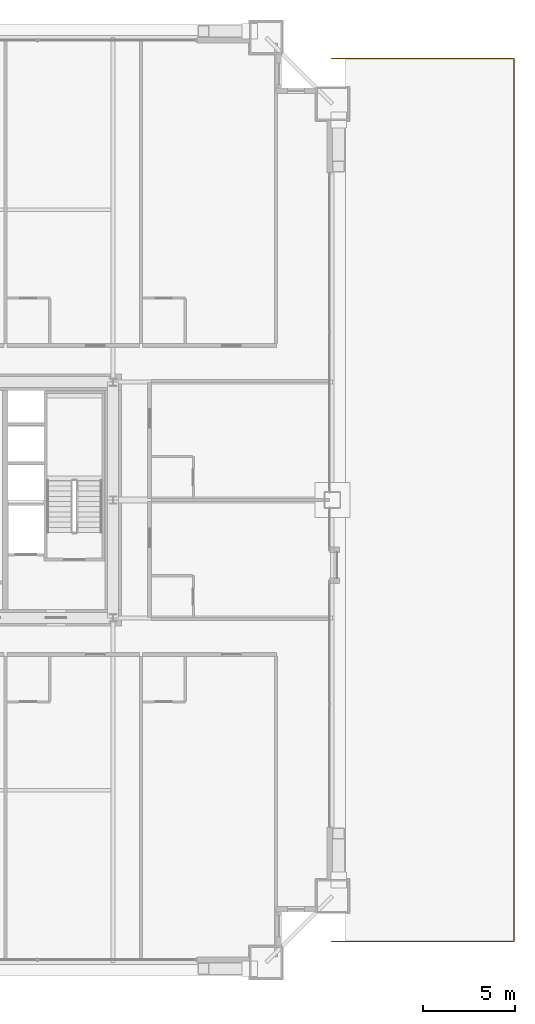
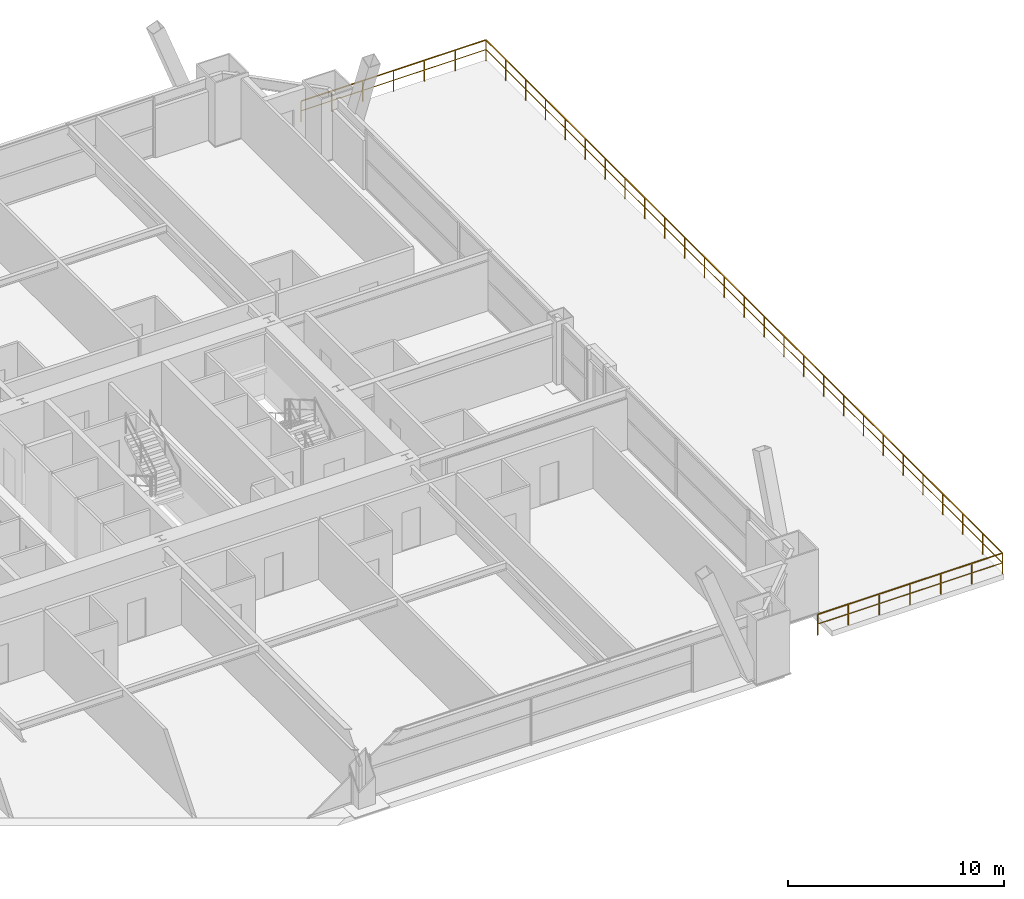
# One storey, part 45 of 45: 1 railing.
"""IFC4 building model written with IfcOpenShell, lengths in metres."""

from ifc_helpers import new_model, si_unit, direction, frame, origin, origin_2d, place, context, subcontext, project, spatial, rectangle, extrude, source, transform, mapped, material, layer, layer_set, type_object, element, save


model = new_model("IFC4")

# Units and contexts
model_context = context("Model", 3, precision=1e-05, world=origin(), true_north=direction((0.0, 1.0)))
body_context = subcontext(model_context, "Body", "Model", "MODEL_VIEW")
ifc_project = project(units=[si_unit("LENGTHUNIT", "METRE"), si_unit("AREAUNIT", "SQUARE_METRE"), si_unit("VOLUMEUNIT", "CUBIC_METRE"), si_unit("PLANEANGLEUNIT", "RADIAN"), si_unit("MASSUNIT", "GRAM", prefix="KILO"), si_unit("THERMODYNAMICTEMPERATUREUNIT", "KELVIN"), si_unit("POWERUNIT", "WATT")], contexts=[model_context])

# Site, building, storey
site_placement = place(None, origin())
site = spatial("IfcSite", under=ifc_project, at=site_placement, CompositionType="ELEMENT")
building_placement = place(site_placement, origin())
building = spatial("IfcBuilding", under=site, at=building_placement, Name="Yuzanri Waterfront Tower", CompositionType="ELEMENT")
storey_placement = place(building_placement, frame((0.0, 0.0, 30.60009765625)))
storey = spatial("IfcBuildingStorey", under=building, at=storey_placement, Name="L07", CompositionType="ELEMENT", Elevation=30.60009765625)

# Railing
ifc_material = material(Name="Anodized Architectural Bronze", Category="metal")
ifc_layer = layer(ifc_material, 0.080078125)
ifc_layer_set = layer_set([ifc_layer], Name="Anodized Architectural Bronze")
railing_type = type_object("IfcRailingType", Name="Laminated Glass and Bronze Balcony Guardrail 1200", PredefinedType="BALUSTRADE", material=ifc_layer_set)
shared_shape = source(origin(), body_context, "Body", "SweptSolid", [
    extrude(rectangle(XDim=0.050048828125, YDim=0.050048828125, at=origin_2d()), frame((0.0, 0.0, 1.1748046875), z_axis=(1.0, 0.0, 0.0), x_axis=(0.0, 1.0, 0.0)), (0.0, 0.0, 1.0), 9.89990234375),
    extrude(rectangle(XDim=0.035888671875, YDim=0.030029296875, at=origin_2d()), frame((0.0, 0.0, 0.6240234375), z_axis=(1.0, 0.0, 0.0), x_axis=(0.0, 1.0, 0.0)), (0.0, 0.0, 1.0), 9.89990234375),
    extrude(rectangle(XDim=0.050048828125, YDim=0.050048828125, at=origin_2d()), frame((9.89990234375, 0.0, 1.1748046875), z_axis=(0.0, 1.0, 0.0), x_axis=(-1.0, 0.0, 0.0)), (0.0, 0.0, 1.0), 47.89990234375),
    extrude(rectangle(XDim=0.035888671875, YDim=0.030029296875, at=origin_2d()), frame((9.89990234375, 0.0, 0.6240234375), z_axis=(0.0, 1.0, 0.0), x_axis=(-1.0, 0.0, 0.0)), (0.0, 0.0, 1.0), 47.89990234375),
    extrude(rectangle(XDim=0.050048828125, YDim=0.050048828125, at=origin_2d()), frame((9.89990234375, 47.89990234375, 1.1748046875), z_axis=(-1.0, 0.0, 0.0), x_axis=(0.0, -1.0, 0.0)), (0.0, 0.0, 1.0), 9.89990234375),
    extrude(rectangle(XDim=0.035888671875, YDim=0.030029296875, at=origin_2d()), frame((9.89990234375, 47.89990234375, 0.6240234375), z_axis=(-1.0, 0.0, 0.0), x_axis=(0.0, -1.0, 0.0)), (0.0, 0.0, 1.0), 9.89990234375),
    extrude(rectangle(XDim=0.0458984375, YDim=0.0458984375, at=origin_2d()), origin(), (0.0, 0.0, 1.0), 1.14990234375),
    extrude(rectangle(XDim=0.0458984375, YDim=0.0458984375, at=origin_2d()), frame((1.64990234375, 0.0, 0.0)), (0.0, 0.0, 1.0), 1.14990234375),
    extrude(rectangle(XDim=0.0458984375, YDim=0.0458984375, at=origin_2d()), frame((3.300048828125, 0.0, 0.0)), (0.0, 0.0, 1.0), 1.14990234375),
    extrude(rectangle(XDim=0.0458984375, YDim=0.0458984375, at=origin_2d()), frame((4.949951171875, 0.0, 0.0)), (0.0, 0.0, 1.0), 1.14990234375),
    extrude(rectangle(XDim=0.0458984375, YDim=0.0458984375, at=origin_2d()), frame((6.599853515625, 0.0, 0.0)), (0.0, 0.0, 1.0), 1.14990234375),
    extrude(rectangle(XDim=0.0458984375, YDim=0.0458984375, at=origin_2d()), frame((8.25, 0.0, 0.0)), (0.0, 0.0, 1.0), 1.14990234375),
    extrude(rectangle(XDim=0.0458984375, YDim=0.0458984375, at=origin_2d()), frame((9.89990234375, 0.0, 0.0)), (0.0, 0.0, 1.0), 1.14990234375),
    extrude(rectangle(XDim=0.0458984375, YDim=0.0458984375, at=origin_2d()), frame((9.89990234375, 1.84228515625, 0.0)), (0.0, 0.0, 1.0), 1.14990234375),
    extrude(rectangle(XDim=0.0458984375, YDim=0.0458984375, at=origin_2d()), frame((9.89990234375, 3.6845703125, 0.0)), (0.0, 0.0, 1.0), 1.14990234375),
    extrude(rectangle(XDim=0.0458984375, YDim=0.0458984375, at=origin_2d()), frame((9.89990234375, 5.52685546875, 0.0)), (0.0, 0.0, 1.0), 1.14990234375),
    extrude(rectangle(XDim=0.0458984375, YDim=0.0458984375, at=origin_2d()), frame((9.89990234375, 7.369140625, 0.0)), (0.0, 0.0, 1.0), 1.14990234375),
    extrude(rectangle(XDim=0.0458984375, YDim=0.0458984375, at=origin_2d()), frame((9.89990234375, 9.21142578125, 0.0)), (0.0, 0.0, 1.0), 1.14990234375),
    extrude(rectangle(XDim=0.0458984375, YDim=0.0458984375, at=origin_2d()), frame((9.89990234375, 11.0537109375, 0.0)), (0.0, 0.0, 1.0), 1.14990234375),
    extrude(rectangle(XDim=0.0458984375, YDim=0.0458984375, at=origin_2d()), frame((9.89990234375, 12.896240234375, 0.0)), (0.0, 0.0, 1.0), 1.14990234375),
    extrude(rectangle(XDim=0.0458984375, YDim=0.0458984375, at=origin_2d()), frame((9.89990234375, 14.738525390625, 0.0)), (0.0, 0.0, 1.0), 1.14990234375),
    extrude(rectangle(XDim=0.0458984375, YDim=0.0458984375, at=origin_2d()), frame((9.89990234375, 16.580810546875, 0.0)), (0.0, 0.0, 1.0), 1.14990234375),
    extrude(rectangle(XDim=0.0458984375, YDim=0.0458984375, at=origin_2d()), frame((9.89990234375, 18.423095703125, 0.0)), (0.0, 0.0, 1.0), 1.14990234375),
    extrude(rectangle(XDim=0.0458984375, YDim=0.0458984375, at=origin_2d()), frame((9.89990234375, 20.265380859375, 0.0)), (0.0, 0.0, 1.0), 1.14990234375),
    extrude(rectangle(XDim=0.0458984375, YDim=0.0458984375, at=origin_2d()), frame((9.89990234375, 22.107666015625, 0.0)), (0.0, 0.0, 1.0), 1.14990234375),
    extrude(rectangle(XDim=0.0458984375, YDim=0.0458984375, at=origin_2d()), frame((9.89990234375, 23.949951171875, 0.0)), (0.0, 0.0, 1.0), 1.14990234375),
    extrude(rectangle(XDim=0.0458984375, YDim=0.0458984375, at=origin_2d()), frame((9.89990234375, 25.792236328125, 0.0)), (0.0, 0.0, 1.0), 1.14990234375),
    extrude(rectangle(XDim=0.0458984375, YDim=0.0458984375, at=origin_2d()), frame((9.89990234375, 27.634521484375, 0.0)), (0.0, 0.0, 1.0), 1.14990234375),
    extrude(rectangle(XDim=0.0458984375, YDim=0.0458984375, at=origin_2d()), frame((9.89990234375, 29.476806640625, 0.0)), (0.0, 0.0, 1.0), 1.14990234375),
    extrude(rectangle(XDim=0.0458984375, YDim=0.0458984375, at=origin_2d()), frame((9.89990234375, 31.319091796875, 0.0)), (0.0, 0.0, 1.0), 1.14990234375),
    extrude(rectangle(XDim=0.0458984375, YDim=0.0458984375, at=origin_2d()), frame((9.89990234375, 33.161376953125, 0.0)), (0.0, 0.0, 1.0), 1.14990234375),
    extrude(rectangle(XDim=0.0458984375, YDim=0.0458984375, at=origin_2d()), frame((9.89990234375, 35.003662109375, 0.0)), (0.0, 0.0, 1.0), 1.14990234375),
    extrude(rectangle(XDim=0.0458984375, YDim=0.0458984375, at=origin_2d()), frame((9.89990234375, 36.84619140625, 0.0)), (0.0, 0.0, 1.0), 1.14990234375),
    extrude(rectangle(XDim=0.0458984375, YDim=0.0458984375, at=origin_2d()), frame((9.89990234375, 38.6884765625, 0.0)), (0.0, 0.0, 1.0), 1.14990234375),
    extrude(rectangle(XDim=0.0458984375, YDim=0.0458984375, at=origin_2d()), frame((9.89990234375, 40.53076171875, 0.0)), (0.0, 0.0, 1.0), 1.14990234375),
    extrude(rectangle(XDim=0.0458984375, YDim=0.0458984375, at=origin_2d()), frame((9.89990234375, 42.373046875, 0.0)), (0.0, 0.0, 1.0), 1.14990234375),
    extrude(rectangle(XDim=0.0458984375, YDim=0.0458984375, at=origin_2d()), frame((9.89990234375, 44.21533203125, 0.0)), (0.0, 0.0, 1.0), 1.14990234375),
    extrude(rectangle(XDim=0.0458984375, YDim=0.0458984375, at=origin_2d()), frame((9.89990234375, 46.0576171875, 0.0)), (0.0, 0.0, 1.0), 1.14990234375),
    extrude(rectangle(XDim=0.0458984375, YDim=0.0458984375, at=origin_2d()), frame((9.89990234375, 47.89990234375, 0.0)), (0.0, 0.0, 1.0), 1.14990234375),
    extrude(rectangle(XDim=0.0458984375, YDim=0.0458984375, at=origin_2d()), frame((8.25, 47.89990234375, 0.0)), (0.0, 0.0, 1.0), 1.14990234375),
    extrude(rectangle(XDim=0.0458984375, YDim=0.0458984375, at=origin_2d()), frame((6.599853515625, 47.89990234375, 0.0)), (0.0, 0.0, 1.0), 1.14990234375),
    extrude(rectangle(XDim=0.0458984375, YDim=0.0458984375, at=origin_2d()), frame((4.949951171875, 47.89990234375, 0.0)), (0.0, 0.0, 1.0), 1.14990234375),
    extrude(rectangle(XDim=0.0458984375, YDim=0.0458984375, at=origin_2d()), frame((3.300048828125, 47.89990234375, 0.0)), (0.0, 0.0, 1.0), 1.14990234375),
    extrude(rectangle(XDim=0.0458984375, YDim=0.0458984375, at=origin_2d()), frame((1.64990234375, 47.89990234375, 0.0)), (0.0, 0.0, 1.0), 1.14990234375),
    extrude(rectangle(XDim=0.0458984375, YDim=0.0458984375, at=origin_2d()), frame((0.0, 47.89990234375, 0.0)), (0.0, 0.0, 1.0), 1.14990234375),
])
railing_placement = place(storey_placement, frame((62.050048828125, 1.85009765625, 0.0)))
element("IfcRailing", 1, at=railing_placement, inside=storey, type_object=railing_type, Name="L07 East Podium Roof Terrace Guard", PredefinedType="BALUSTRADE", context=body_context, shape_type="MappedRepresentation", body=[
    mapped(shared_shape, transform((0.0, 0.0, 0.0), scale=1.0)),
])

save(model, "model.ifc")
